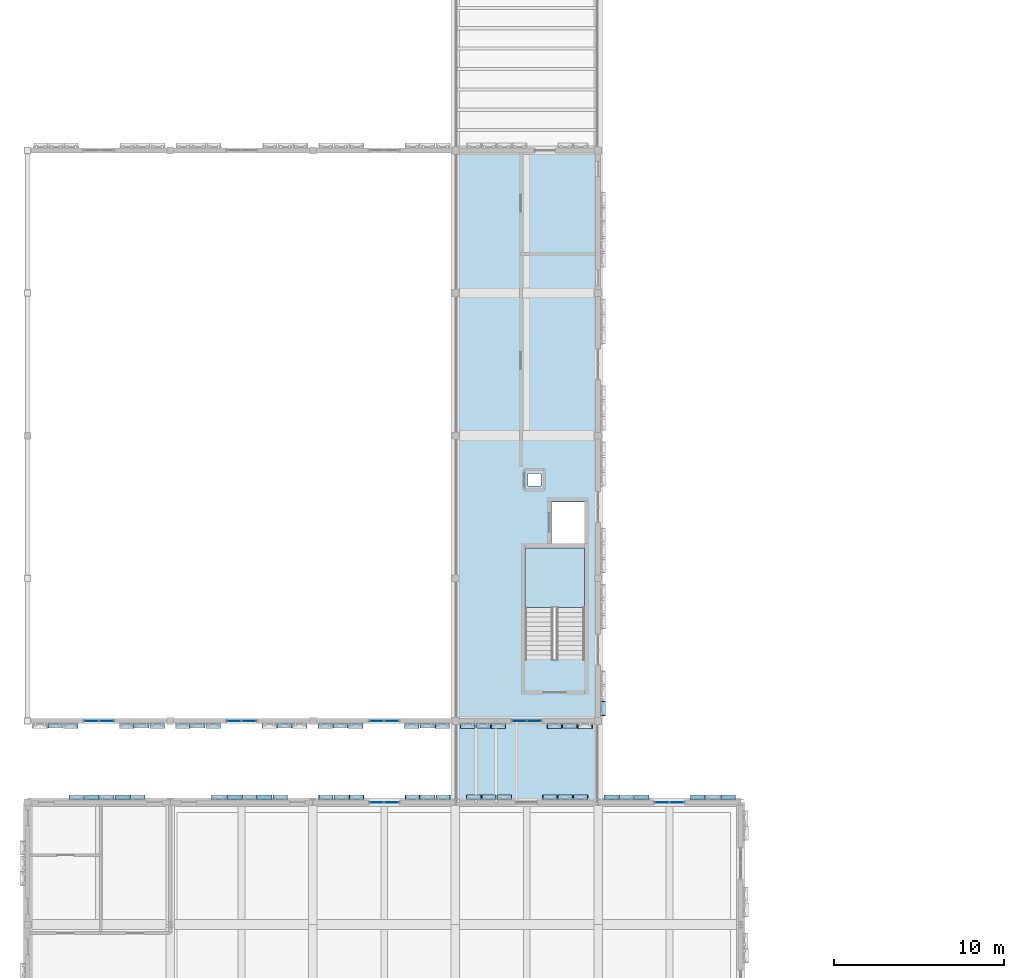
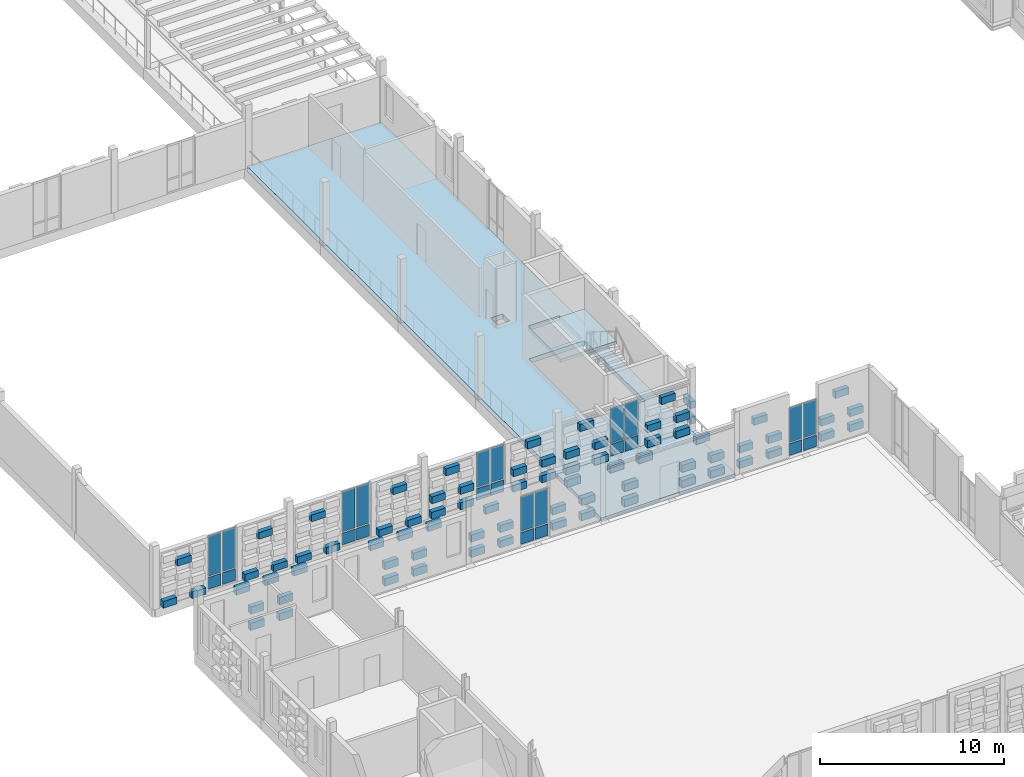
# One storey, part 46 of 99: 101 plates, 3 slabs, 7 elements without a shape of their own.
"""IFC4 building model written with IfcOpenShell, lengths in metres."""

from ifc_helpers import new_model, si_unit, direction, frame, origin, origin_2d, place, context, subcontext, project, spatial, polyline, rectangle, outline, extrude, material, layer, layer_set, type_object, element, aggregate, save


model = new_model("IFC4")

# Units and contexts
model_context = context("Model", 3, precision=1e-05, world=origin(), true_north=direction((0.0, 1.0)))
body_context = subcontext(model_context, "Body", "Model", "MODEL_VIEW")
ifc_project = project(units=[si_unit("LENGTHUNIT", "METRE"), si_unit("AREAUNIT", "SQUARE_METRE"), si_unit("VOLUMEUNIT", "CUBIC_METRE"), si_unit("PLANEANGLEUNIT", "RADIAN"), si_unit("MASSUNIT", "GRAM", prefix="KILO")], contexts=[model_context])

# Site, building, storey
site_placement = place(None, origin())
site = spatial("IfcSite", under=ifc_project, at=site_placement, CompositionType="ELEMENT")
building_placement = place(site_placement, origin())
building = spatial("IfcBuilding", under=site, at=building_placement, Name="Kahlenmark Community Centre", CompositionType="ELEMENT")
storey_placement = place(building_placement, frame((0.0, 0.0, 5.39990234375)))
storey = spatial("IfcBuildingStorey", under=building, at=storey_placement, Name="L01", CompositionType="ELEMENT", Elevation=5.39990234375)

# Curtain wall, plates
ifc_material_1 = material(Name="Anodised aluminium unitised curtain wall", Category="aluminium")
curtain_wall_type_1 = type_object("IfcCurtainWallType", Name="CWT-UNIT-180X321", PredefinedType="USERDEFINED", material=ifc_material_1)
curtain_wall_1_placement = place(storey_placement, origin())
curtain_wall_1 = element("IfcCurtainWall", 1, at=curtain_wall_1_placement, inside=storey, type_object=curtain_wall_type_1, Name="Unitised curtain wall CW-004", ObjectType="UNITISED CURTAIN WALL", PredefinedType="USERDEFINED")
ifc_material_2 = material(Name="Triple low-e solar-control glass unit", Category="glass")
ifc_layer_1 = layer(ifc_material_2, 0.0439453125)
ifc_layer_set_1 = layer_set([ifc_layer_1], Name="Triple low-e solar-control glass unit")
plate_type_1 = type_object("IfcPlateType", Name="PLT-CW-GLZ-820X2280", PredefinedType="CURTAIN_PANEL", material=ifc_layer_set_1)
plate_1_placement = place(storey_placement, frame((25.449951171875, 37.60009765625, 0.89013671875), z_axis=(0.0, 0.0, 1.0), x_axis=(-1.0, 0.0, 0.0)))
plate_1 = element("IfcPlate", 2, at=plate_1_placement, type_object=plate_type_1, Name="CW-004 glazed panel 1", PredefinedType="CURTAIN_PANEL", context=body_context, shape_type="SweptSolid", body=[
    extrude(rectangle(XDim=0.820068359375, YDim=0.0439453125, at=origin_2d()), origin(), (0.0, 0.0, 1.0), 2.280029296875),
])
plate_2_placement = place(storey_placement, frame((24.550048828125, 37.60009765625, 0.89013671875), z_axis=(0.0, 0.0, 1.0), x_axis=(-1.0, 0.0, 0.0)))
plate_2 = element("IfcPlate", 3, at=plate_2_placement, type_object=plate_type_1, Name="CW-004 glazed panel 2", PredefinedType="CURTAIN_PANEL", context=body_context, shape_type="SweptSolid", body=[
    extrude(rectangle(XDim=0.820068359375, YDim=0.0439453125, at=origin_2d()), origin(), (0.0, 0.0, 1.0), 2.280029296875),
])

curtain_wall_2_placement = place(storey_placement, origin())
curtain_wall_2 = element("IfcCurtainWall", 4, at=curtain_wall_2_placement, inside=storey, type_object=curtain_wall_type_1, Name="Unitised curtain wall CW-005", ObjectType="UNITISED CURTAIN WALL", PredefinedType="USERDEFINED")
plate_3_placement = place(storey_placement, frame((42.25, 37.60009765625, 0.89013671875), z_axis=(0.0, 0.0, 1.0), x_axis=(-1.0, 0.0, 0.0)))
plate_3 = element("IfcPlate", 5, at=plate_3_placement, type_object=plate_type_1, Name="CW-005 glazed panel 1", PredefinedType="CURTAIN_PANEL", context=body_context, shape_type="SweptSolid", body=[
    extrude(rectangle(XDim=0.820068359375, YDim=0.0439453125, at=origin_2d()), origin(), (0.0, 0.0, 1.0), 2.280029296875),
])
plate_4_placement = place(storey_placement, frame((41.35009765625, 37.60009765625, 0.89013671875), z_axis=(0.0, 0.0, 1.0), x_axis=(-1.0, 0.0, 0.0)))
plate_4 = element("IfcPlate", 6, at=plate_4_placement, type_object=plate_type_1, Name="CW-005 glazed panel 2", PredefinedType="CURTAIN_PANEL", context=body_context, shape_type="SweptSolid", body=[
    extrude(rectangle(XDim=0.820068359375, YDim=0.0439453125, at=origin_2d()), origin(), (0.0, 0.0, 1.0), 2.280029296875),
])

curtain_wall_3_placement = place(storey_placement, origin())
curtain_wall_3 = element("IfcCurtainWall", 7, at=curtain_wall_3_placement, inside=storey, type_object=curtain_wall_type_1, Name="Unitised curtain wall CW-011", ObjectType="UNITISED CURTAIN WALL", PredefinedType="USERDEFINED")
plate_5_placement = place(storey_placement, frame((24.550048828125, 42.39990234375, 0.89013671875), z_axis=(0.0, 0.0, 1.0), x_axis=(1.0, 0.0, 0.0)))
plate_5 = element("IfcPlate", 8, at=plate_5_placement, type_object=plate_type_1, Name="CW-011 glazed panel 1", PredefinedType="CURTAIN_PANEL", context=body_context, shape_type="SweptSolid", body=[
    extrude(rectangle(XDim=0.820068359375, YDim=0.0439453125, at=origin_2d()), origin(), (0.0, 0.0, 1.0), 2.280029296875),
])
plate_6_placement = place(storey_placement, frame((25.449951171875, 42.39990234375, 0.89013671875), z_axis=(0.0, 0.0, 1.0), x_axis=(1.0, 0.0, 0.0)))
plate_6 = element("IfcPlate", 9, at=plate_6_placement, type_object=plate_type_1, Name="CW-011 glazed panel 2", PredefinedType="CURTAIN_PANEL", context=body_context, shape_type="SweptSolid", body=[
    extrude(rectangle(XDim=0.820068359375, YDim=0.0439453125, at=origin_2d()), origin(), (0.0, 0.0, 1.0), 2.280029296875),
])

curtain_wall_4_placement = place(storey_placement, origin())
curtain_wall_4 = element("IfcCurtainWall", 10, at=curtain_wall_4_placement, inside=storey, type_object=curtain_wall_type_1, Name="Unitised curtain wall CW-012", ObjectType="UNITISED CURTAIN WALL", PredefinedType="USERDEFINED")
plate_7_placement = place(storey_placement, frame((32.949951171875, 42.39990234375, 0.89013671875), z_axis=(0.0, 0.0, 1.0), x_axis=(1.0, 0.0, 0.0)))
plate_7 = element("IfcPlate", 11, at=plate_7_placement, type_object=plate_type_1, Name="CW-012 glazed panel 1", PredefinedType="CURTAIN_PANEL", context=body_context, shape_type="SweptSolid", body=[
    extrude(rectangle(XDim=0.820068359375, YDim=0.0439453125, at=origin_2d()), origin(), (0.0, 0.0, 1.0), 2.280029296875),
])
plate_8_placement = place(storey_placement, frame((33.85009765625, 42.39990234375, 0.89013671875), z_axis=(0.0, 0.0, 1.0), x_axis=(1.0, 0.0, 0.0)))
plate_8 = element("IfcPlate", 12, at=plate_8_placement, type_object=plate_type_1, Name="CW-012 glazed panel 2", PredefinedType="CURTAIN_PANEL", context=body_context, shape_type="SweptSolid", body=[
    extrude(rectangle(XDim=0.820068359375, YDim=0.0439453125, at=origin_2d()), origin(), (0.0, 0.0, 1.0), 2.280029296875),
])

curtain_wall_type_2 = type_object("IfcCurtainWallType", Name="CWT-UNIT-180X359", PredefinedType="USERDEFINED", material=ifc_material_1)
curtain_wall_5_placement = place(storey_placement, origin())
curtain_wall_5 = element("IfcCurtainWall", 13, at=curtain_wall_5_placement, inside=storey, type_object=curtain_wall_type_2, Name="Unitised curtain wall CW-009", ObjectType="UNITISED CURTAIN WALL", PredefinedType="USERDEFINED")
ifc_layer_2 = layer(ifc_material_2, 0.0439453125)
ifc_layer_set_2 = layer_set([ifc_layer_2], Name="Triple low-e solar-control glass unit")
plate_type_2 = type_object("IfcPlateType", Name="PLT-CW-GLZ-820X2660", PredefinedType="CURTAIN_PANEL", material=ifc_layer_set_2)
plate_9_placement = place(storey_placement, frame((7.75, 42.39990234375, 0.89013671875), z_axis=(0.0, 0.0, 1.0), x_axis=(1.0, 0.0, 0.0)))
plate_9 = element("IfcPlate", 14, at=plate_9_placement, type_object=plate_type_2, Name="CW-009 glazed panel 1", PredefinedType="CURTAIN_PANEL", context=body_context, shape_type="SweptSolid", body=[
    extrude(rectangle(XDim=0.820068359375, YDim=0.0439453125, at=origin_2d()), origin(), (0.0, 0.0, 1.0), 2.659912109375),
])
plate_10_placement = place(storey_placement, frame((8.64990234375, 42.39990234375, 0.89013671875), z_axis=(0.0, 0.0, 1.0), x_axis=(1.0, 0.0, 0.0)))
plate_10 = element("IfcPlate", 15, at=plate_10_placement, type_object=plate_type_2, Name="CW-009 glazed panel 2", PredefinedType="CURTAIN_PANEL", context=body_context, shape_type="SweptSolid", body=[
    extrude(rectangle(XDim=0.820068359375, YDim=0.0439453125, at=origin_2d()), origin(), (0.0, 0.0, 1.0), 2.659912109375),
])

curtain_wall_6_placement = place(storey_placement, origin())
curtain_wall_6 = element("IfcCurtainWall", 16, at=curtain_wall_6_placement, inside=storey, type_object=curtain_wall_type_2, Name="Unitised curtain wall CW-010", ObjectType="UNITISED CURTAIN WALL", PredefinedType="USERDEFINED")
plate_11_placement = place(storey_placement, frame((16.14990234375, 42.39990234375, 0.89013671875), z_axis=(0.0, 0.0, 1.0), x_axis=(1.0, 0.0, 0.0)))
plate_11 = element("IfcPlate", 17, at=plate_11_placement, type_object=plate_type_2, Name="CW-010 glazed panel 1", PredefinedType="CURTAIN_PANEL", context=body_context, shape_type="SweptSolid", body=[
    extrude(rectangle(XDim=0.820068359375, YDim=0.0439453125, at=origin_2d()), origin(), (0.0, 0.0, 1.0), 2.659912109375),
])
plate_12_placement = place(storey_placement, frame((17.050048828125, 42.39990234375, 0.89013671875), z_axis=(0.0, 0.0, 1.0), x_axis=(1.0, 0.0, 0.0)))
plate_12 = element("IfcPlate", 18, at=plate_12_placement, type_object=plate_type_2, Name="CW-010 glazed panel 2", PredefinedType="CURTAIN_PANEL", context=body_context, shape_type="SweptSolid", body=[
    extrude(rectangle(XDim=0.820068359375, YDim=0.0439453125, at=origin_2d()), origin(), (0.0, 0.0, 1.0), 2.659912109375),
])

# Plate
ifc_material_3 = material(Name="Warm terracotta insulated spandrel cassette", Category="masonry")
ifc_layer_3 = layer(ifc_material_3, 0.06005859375)
ifc_layer_set_3 = layer_set([ifc_layer_3], Name="Warm terracotta insulated spandrel cassette")
plate_type_3 = type_object("IfcPlateType", Name="PLT-CW-SPD-820X770", PredefinedType="CURTAIN_PANEL", material=ifc_layer_set_3)
plate_13_placement = place(storey_placement, frame((25.449951171875, 37.60009765625, 0.0400390625), z_axis=(0.0, 0.0, 1.0), x_axis=(-1.0, 0.0, 0.0)))
plate_13 = element("IfcPlate", 19, at=plate_13_placement, type_object=plate_type_3, Name="CW-004 spandrel 1", PredefinedType="CURTAIN_PANEL", context=body_context, shape_type="SweptSolid", body=[
    extrude(rectangle(XDim=0.820068359375, YDim=0.06005859375, at=origin_2d()), origin(), (0.0, 0.0, 1.0), 0.77001953125),
])

plate_14_placement = place(storey_placement, frame((24.550048828125, 37.60009765625, 0.0400390625), z_axis=(0.0, 0.0, 1.0), x_axis=(-1.0, 0.0, 0.0)))
plate_14 = element("IfcPlate", 20, at=plate_14_placement, type_object=plate_type_3, Name="CW-004 spandrel 2", PredefinedType="CURTAIN_PANEL", context=body_context, shape_type="SweptSolid", body=[
    extrude(rectangle(XDim=0.820068359375, YDim=0.06005859375, at=origin_2d()), origin(), (0.0, 0.0, 1.0), 0.77001953125),
])

aggregate(curtain_wall_1, [plate_13, plate_1, plate_14, plate_2])

plate_15_placement = place(storey_placement, frame((42.25, 37.60009765625, 0.0400390625), z_axis=(0.0, 0.0, 1.0), x_axis=(-1.0, 0.0, 0.0)))
plate_15 = element("IfcPlate", 21, at=plate_15_placement, type_object=plate_type_3, Name="CW-005 spandrel 1", PredefinedType="CURTAIN_PANEL", context=body_context, shape_type="SweptSolid", body=[
    extrude(rectangle(XDim=0.820068359375, YDim=0.06005859375, at=origin_2d()), origin(), (0.0, 0.0, 1.0), 0.77001953125),
])

plate_16_placement = place(storey_placement, frame((41.35009765625, 37.60009765625, 0.0400390625), z_axis=(0.0, 0.0, 1.0), x_axis=(-1.0, 0.0, 0.0)))
plate_16 = element("IfcPlate", 22, at=plate_16_placement, type_object=plate_type_3, Name="CW-005 spandrel 2", PredefinedType="CURTAIN_PANEL", context=body_context, shape_type="SweptSolid", body=[
    extrude(rectangle(XDim=0.820068359375, YDim=0.06005859375, at=origin_2d()), origin(), (0.0, 0.0, 1.0), 0.77001953125),
])

aggregate(curtain_wall_2, [plate_15, plate_3, plate_16, plate_4])

plate_17_placement = place(storey_placement, frame((7.75, 42.39990234375, 0.0400390625), z_axis=(0.0, 0.0, 1.0), x_axis=(1.0, 0.0, 0.0)))
plate_17 = element("IfcPlate", 23, at=plate_17_placement, type_object=plate_type_3, Name="CW-009 spandrel 1", PredefinedType="CURTAIN_PANEL", context=body_context, shape_type="SweptSolid", body=[
    extrude(rectangle(XDim=0.820068359375, YDim=0.06005859375, at=origin_2d()), origin(), (0.0, 0.0, 1.0), 0.77001953125),
])

plate_18_placement = place(storey_placement, frame((8.64990234375, 42.39990234375, 0.0400390625), z_axis=(0.0, 0.0, 1.0), x_axis=(1.0, 0.0, 0.0)))
plate_18 = element("IfcPlate", 24, at=plate_18_placement, type_object=plate_type_3, Name="CW-009 spandrel 2", PredefinedType="CURTAIN_PANEL", context=body_context, shape_type="SweptSolid", body=[
    extrude(rectangle(XDim=0.820068359375, YDim=0.06005859375, at=origin_2d()), origin(), (0.0, 0.0, 1.0), 0.77001953125),
])

aggregate(curtain_wall_5, [plate_17, plate_9, plate_18, plate_10])

plate_19_placement = place(storey_placement, frame((16.14990234375, 42.39990234375, 0.0400390625), z_axis=(0.0, 0.0, 1.0), x_axis=(1.0, 0.0, 0.0)))
plate_19 = element("IfcPlate", 25, at=plate_19_placement, type_object=plate_type_3, Name="CW-010 spandrel 1", PredefinedType="CURTAIN_PANEL", context=body_context, shape_type="SweptSolid", body=[
    extrude(rectangle(XDim=0.820068359375, YDim=0.06005859375, at=origin_2d()), origin(), (0.0, 0.0, 1.0), 0.77001953125),
])

plate_20_placement = place(storey_placement, frame((17.050048828125, 42.39990234375, 0.0400390625), z_axis=(0.0, 0.0, 1.0), x_axis=(1.0, 0.0, 0.0)))
plate_20 = element("IfcPlate", 26, at=plate_20_placement, type_object=plate_type_3, Name="CW-010 spandrel 2", PredefinedType="CURTAIN_PANEL", context=body_context, shape_type="SweptSolid", body=[
    extrude(rectangle(XDim=0.820068359375, YDim=0.06005859375, at=origin_2d()), origin(), (0.0, 0.0, 1.0), 0.77001953125),
])

aggregate(curtain_wall_6, [plate_19, plate_11, plate_20, plate_12])

plate_21_placement = place(storey_placement, frame((24.550048828125, 42.39990234375, 0.0400390625), z_axis=(0.0, 0.0, 1.0), x_axis=(1.0, 0.0, 0.0)))
plate_21 = element("IfcPlate", 27, at=plate_21_placement, type_object=plate_type_3, Name="CW-011 spandrel 1", PredefinedType="CURTAIN_PANEL", context=body_context, shape_type="SweptSolid", body=[
    extrude(rectangle(XDim=0.820068359375, YDim=0.06005859375, at=origin_2d()), origin(), (0.0, 0.0, 1.0), 0.77001953125),
])

plate_22_placement = place(storey_placement, frame((25.449951171875, 42.39990234375, 0.0400390625), z_axis=(0.0, 0.0, 1.0), x_axis=(1.0, 0.0, 0.0)))
plate_22 = element("IfcPlate", 28, at=plate_22_placement, type_object=plate_type_3, Name="CW-011 spandrel 2", PredefinedType="CURTAIN_PANEL", context=body_context, shape_type="SweptSolid", body=[
    extrude(rectangle(XDim=0.820068359375, YDim=0.06005859375, at=origin_2d()), origin(), (0.0, 0.0, 1.0), 0.77001953125),
])

aggregate(curtain_wall_3, [plate_21, plate_5, plate_22, plate_6])

plate_23_placement = place(storey_placement, frame((32.949951171875, 42.39990234375, 0.0400390625), z_axis=(0.0, 0.0, 1.0), x_axis=(1.0, 0.0, 0.0)))
plate_23 = element("IfcPlate", 29, at=plate_23_placement, type_object=plate_type_3, Name="CW-012 spandrel 1", PredefinedType="CURTAIN_PANEL", context=body_context, shape_type="SweptSolid", body=[
    extrude(rectangle(XDim=0.820068359375, YDim=0.06005859375, at=origin_2d()), origin(), (0.0, 0.0, 1.0), 0.77001953125),
])

plate_24_placement = place(storey_placement, frame((33.85009765625, 42.39990234375, 0.0400390625), z_axis=(0.0, 0.0, 1.0), x_axis=(1.0, 0.0, 0.0)))
plate_24 = element("IfcPlate", 30, at=plate_24_placement, type_object=plate_type_3, Name="CW-012 spandrel 2", PredefinedType="CURTAIN_PANEL", context=body_context, shape_type="SweptSolid", body=[
    extrude(rectangle(XDim=0.820068359375, YDim=0.06005859375, at=origin_2d()), origin(), (0.0, 0.0, 1.0), 0.77001953125),
])

aggregate(curtain_wall_4, [plate_23, plate_7, plate_24, plate_8])

# Plates
ifc_material_4 = material(Name="Extruded glazed terracotta weave cassette", Category="masonry")
ifc_layer_4 = layer(ifc_material_4, 0.300048828125)
ifc_layer_set_4 = layer_set([ifc_layer_4], Name="Extruded glazed terracotta weave cassette")
plate_type_4 = type_object("IfcPlateType", Name="PLT-TC-TC-R34-840X300X468", PredefinedType="SHEET", material=ifc_layer_set_4)
for number, where, z_axis, x_axis, name in (
    (31, (28.469970703125, 37.89990234375, 1.1162109375), (0.0, 0.0, 1.0), (-1.0, 0.0, 0.0), "Basketweave terracotta cassette 0243"),
    (32, (26.669921875, 37.89990234375, 1.1162109375), (0.0, 0.0, 1.0), (-1.0, 0.0, 0.0), "Basketweave terracotta cassette 0255"),
    (33, (23.3701171875, 37.89990234375, 1.1162109375), (0.0, 0.0, 1.0), (-1.0, 0.0, 0.0), "Basketweave terracotta cassette 0261"),
    (34, (21.570068359375, 37.89990234375, 1.1162109375), (0.0, 0.0, 1.0), (-1.0, 0.0, 0.0), "Basketweave terracotta cassette 0273"),
    (35, (36.570068359375, 37.89990234375, 1.1162109375), (0.0, 0.0, 1.0), (-1.0, 0.0, 0.0), "Basketweave terracotta cassette 0279"),
    (36, (34.77001953125, 37.89990234375, 1.1162109375), (0.0, 0.0, 1.0), (-1.0, 0.0, 0.0), "Basketweave terracotta cassette 0291"),
    (37, (31.169921875, 37.89990234375, 1.1162109375), (0.0, 0.0, 1.0), (-1.0, 0.0, 0.0), "Basketweave terracotta cassette 0303"),
    (38, (45.27001953125, 37.89990234375, 1.1162109375), (0.0, 0.0, 1.0), (-1.0, 0.0, 0.0), "Basketweave terracotta cassette 0315"),
    (39, (43.469970703125, 37.89990234375, 1.1162109375), (0.0, 0.0, 1.0), (-1.0, 0.0, 0.0), "Basketweave terracotta cassette 0327"),
    (40, (40.169921875, 37.89990234375, 1.1162109375), (0.0, 0.0, 1.0), (-1.0, 0.0, 0.0), "Basketweave terracotta cassette 0333"),
    (41, (38.3701171875, 37.89990234375, 1.1162109375), (0.0, 0.0, 1.0), (-1.0, 0.0, 0.0), "Basketweave terracotta cassette 0345"),
    (42, (21.530029296875, 42.10009765625, 1.1162109375), (0.0, 0.0, 1.0), (1.0, 0.0, 0.0), "Basketweave terracotta cassette 0571"),
    (43, (23.330078125, 42.10009765625, 1.1162109375), (0.0, 0.0, 1.0), (1.0, 0.0, 0.0), "Basketweave terracotta cassette 0583"),
    (44, (26.6298828125, 42.10009765625, 1.1162109375), (0.0, 0.0, 1.0), (1.0, 0.0, 0.0), "Basketweave terracotta cassette 0589"),
    (45, (28.429931640625, 42.10009765625, 1.1162109375), (0.0, 0.0, 1.0), (1.0, 0.0, 0.0), "Basketweave terracotta cassette 0601"),
    (46, (29.929931640625, 42.10009765625, 1.1162109375), (0.0, 0.0, 1.0), (1.0, 0.0, 0.0), "Basketweave terracotta cassette 0607"),
    (47, (31.72998046875, 42.10009765625, 1.1162109375), (0.0, 0.0, 1.0), (1.0, 0.0, 0.0), "Basketweave terracotta cassette 0619"),
    (48, (35.030029296875, 42.10009765625, 1.1162109375), (0.0, 0.0, 1.0), (1.0, 0.0, 0.0), "Basketweave terracotta cassette 0625"),
    (49, (36.830078125, 42.10009765625, 1.1162109375), (0.0, 0.0, 1.0), (1.0, 0.0, 0.0), "Basketweave terracotta cassette 0637"),
    (50, (37.89990234375, 43.1298828125, 1.1162109375), (0.0, 0.0, 1.0), (0.0, 1.0, 0.0), "Basketweave terracotta cassette 0799"),
):
    element("IfcPlate", number, at=place(storey_placement, frame(where, z_axis=z_axis, x_axis=x_axis)), inside=storey, type_object=plate_type_4, Name=name, PredefinedType="SHEET", context=body_context, shape_type="SweptSolid", body=[
        extrude(rectangle(XDim=0.840087890625, YDim=0.300048828125, at=origin_2d()), origin(), (0.0, 0.0, 1.0), 0.468017578125),
    ])
ifc_layer_5 = layer(ifc_material_4, 0.300048828125)
ifc_layer_set_5 = layer_set([ifc_layer_5], Name="Extruded glazed terracotta weave cassette")
plate_type_5 = type_object("IfcPlateType", Name="PLT-TC-TC-R34-840X300X492", PredefinedType="SHEET", material=ifc_layer_set_5)
for number, where, z_axis, x_axis, name in (
    (51, (9.570068359375, 37.89990234375, 1.1640625), (0.0, 0.0, 1.0), (-1.0, 0.0, 0.0), "Basketweave terracotta cassette 0189"),
    (52, (7.77001953125, 37.89990234375, 1.1640625), (0.0, 0.0, 1.0), (-1.0, 0.0, 0.0), "Basketweave terracotta cassette 0201"),
    (53, (17.969970703125, 37.89990234375, 1.1640625), (0.0, 0.0, 1.0), (-1.0, 0.0, 0.0), "Basketweave terracotta cassette 0219"),
    (54, (16.169921875, 37.89990234375, 1.1640625), (0.0, 0.0, 1.0), (-1.0, 0.0, 0.0), "Basketweave terracotta cassette 0231"),
):
    element("IfcPlate", number, at=place(storey_placement, frame(where, z_axis=z_axis, x_axis=x_axis)), inside=storey, type_object=plate_type_5, Name=name, PredefinedType="SHEET", context=body_context, shape_type="SweptSolid", body=[
        extrude(rectangle(XDim=0.840087890625, YDim=0.300048828125, at=origin_2d()), origin(), (0.0, 0.0, 1.0), 0.491943359375),
    ])
ifc_layer_6 = layer(ifc_material_4, 0.300048828125)
ifc_layer_set_6 = layer_set([ifc_layer_6], Name="Extruded glazed terracotta weave cassette")
plate_type_6 = type_object("IfcPlateType", Name="PLT-TC-TC-R34-860X300X450", PredefinedType="SHEET", material=ifc_layer_set_6)
for number, where, z_axis, x_axis, name in (
    (55, (4.72998046875, 42.10009765625, 0.10009765625), (0.0, 0.0, 1.0), (1.0, 0.0, 0.0), "Basketweave terracotta cassette 0485"),
    (56, (6.530029296875, 42.10009765625, 0.10009765625), (0.0, 0.0, 1.0), (1.0, 0.0, 0.0), "Basketweave terracotta cassette 0499"),
    (57, (9.830078125, 42.10009765625, 0.10009765625), (0.0, 0.0, 1.0), (1.0, 0.0, 0.0), "Basketweave terracotta cassette 0506"),
    (58, (11.6298828125, 42.10009765625, 0.10009765625), (0.0, 0.0, 1.0), (1.0, 0.0, 0.0), "Basketweave terracotta cassette 0520"),
    (59, (13.1298828125, 42.10009765625, 0.10009765625), (0.0, 0.0, 1.0), (1.0, 0.0, 0.0), "Basketweave terracotta cassette 0527"),
    (60, (14.929931640625, 42.10009765625, 0.10009765625), (0.0, 0.0, 1.0), (1.0, 0.0, 0.0), "Basketweave terracotta cassette 0541"),
    (61, (18.22998046875, 42.10009765625, 0.10009765625), (0.0, 0.0, 1.0), (1.0, 0.0, 0.0), "Basketweave terracotta cassette 0548"),
    (62, (20.030029296875, 42.10009765625, 0.10009765625), (0.0, 0.0, 1.0), (1.0, 0.0, 0.0), "Basketweave terracotta cassette 0562"),
):
    element("IfcPlate", number, at=place(storey_placement, frame(where, z_axis=z_axis, x_axis=x_axis)), inside=storey, type_object=plate_type_6, Name=name, PredefinedType="SHEET", context=body_context, shape_type="SweptSolid", body=[
        extrude(rectangle(XDim=0.860107421875, YDim=0.300048828125, at=origin_2d()), origin(), (0.0, 0.0, 1.0), 0.449951171875),
    ])
ifc_layer_7 = layer(ifc_material_4, 0.300048828125)
ifc_layer_set_7 = layer_set([ifc_layer_7], Name="Extruded glazed terracotta weave cassette")
plate_type_7 = type_object("IfcPlateType", Name="PLT-TC-TC-R34-860X300X468", PredefinedType="SHEET", material=ifc_layer_set_7)
for number, where, z_axis, x_axis, name in (
    (63, (28.469970703125, 37.89990234375, 0.10009765625), (0.0, 0.0, 1.0), (-1.0, 0.0, 0.0), "Basketweave terracotta cassette 0241"),
    (64, (26.669921875, 37.89990234375, 0.10009765625), (0.0, 0.0, 1.0), (-1.0, 0.0, 0.0), "Basketweave terracotta cassette 0253"),
    (65, (23.3701171875, 37.89990234375, 0.10009765625), (0.0, 0.0, 1.0), (-1.0, 0.0, 0.0), "Basketweave terracotta cassette 0259"),
    (66, (21.570068359375, 37.89990234375, 0.10009765625), (0.0, 0.0, 1.0), (-1.0, 0.0, 0.0), "Basketweave terracotta cassette 0271"),
    (67, (36.570068359375, 37.89990234375, 0.10009765625), (0.0, 0.0, 1.0), (-1.0, 0.0, 0.0), "Basketweave terracotta cassette 0277"),
    (68, (34.77001953125, 37.89990234375, 0.10009765625), (0.0, 0.0, 1.0), (-1.0, 0.0, 0.0), "Basketweave terracotta cassette 0289"),
    (69, (31.169921875, 37.89990234375, 0.10009765625), (0.0, 0.0, 1.0), (-1.0, 0.0, 0.0), "Basketweave terracotta cassette 0301"),
    (70, (45.27001953125, 37.89990234375, 0.10009765625), (0.0, 0.0, 1.0), (-1.0, 0.0, 0.0), "Basketweave terracotta cassette 0313"),
    (71, (43.469970703125, 37.89990234375, 0.10009765625), (0.0, 0.0, 1.0), (-1.0, 0.0, 0.0), "Basketweave terracotta cassette 0325"),
    (72, (40.169921875, 37.89990234375, 0.10009765625), (0.0, 0.0, 1.0), (-1.0, 0.0, 0.0), "Basketweave terracotta cassette 0331"),
    (73, (38.3701171875, 37.89990234375, 0.10009765625), (0.0, 0.0, 1.0), (-1.0, 0.0, 0.0), "Basketweave terracotta cassette 0343"),
    (74, (21.530029296875, 42.10009765625, 0.10009765625), (0.0, 0.0, 1.0), (1.0, 0.0, 0.0), "Basketweave terracotta cassette 0569"),
    (75, (23.330078125, 42.10009765625, 0.10009765625), (0.0, 0.0, 1.0), (1.0, 0.0, 0.0), "Basketweave terracotta cassette 0581"),
    (76, (26.6298828125, 42.10009765625, 0.10009765625), (0.0, 0.0, 1.0), (1.0, 0.0, 0.0), "Basketweave terracotta cassette 0587"),
    (77, (28.429931640625, 42.10009765625, 0.10009765625), (0.0, 0.0, 1.0), (1.0, 0.0, 0.0), "Basketweave terracotta cassette 0599"),
    (78, (29.929931640625, 42.10009765625, 0.10009765625), (0.0, 0.0, 1.0), (1.0, 0.0, 0.0), "Basketweave terracotta cassette 0605"),
    (79, (31.72998046875, 42.10009765625, 0.10009765625), (0.0, 0.0, 1.0), (1.0, 0.0, 0.0), "Basketweave terracotta cassette 0617"),
    (80, (35.030029296875, 42.10009765625, 0.10009765625), (0.0, 0.0, 1.0), (1.0, 0.0, 0.0), "Basketweave terracotta cassette 0623"),
    (81, (36.830078125, 42.10009765625, 0.10009765625), (0.0, 0.0, 1.0), (1.0, 0.0, 0.0), "Basketweave terracotta cassette 0635"),
    (82, (37.89990234375, 43.1298828125, 0.10009765625), (0.0, 0.0, 1.0), (0.0, 1.0, 0.0), "Basketweave terracotta cassette 0797"),
):
    element("IfcPlate", number, at=place(storey_placement, frame(where, z_axis=z_axis, x_axis=x_axis)), inside=storey, type_object=plate_type_7, Name=name, PredefinedType="SHEET", context=body_context, shape_type="SweptSolid", body=[
        extrude(rectangle(XDim=0.860107421875, YDim=0.300048828125, at=origin_2d()), origin(), (0.0, 0.0, 1.0), 0.468017578125),
    ])
ifc_layer_8 = layer(ifc_material_4, 0.300048828125)
ifc_layer_set_8 = layer_set([ifc_layer_8], Name="Extruded glazed terracotta weave cassette")
plate_type_8 = type_object("IfcPlateType", Name="PLT-TC-TC-R34-860X300X492", PredefinedType="SHEET", material=ifc_layer_set_8)
for number, where, z_axis, x_axis, name in (
    (83, (9.570068359375, 37.89990234375, 0.10009765625), (0.0, 0.0, 1.0), (-1.0, 0.0, 0.0), "Basketweave terracotta cassette 0187"),
    (84, (7.77001953125, 37.89990234375, 0.10009765625), (0.0, 0.0, 1.0), (-1.0, 0.0, 0.0), "Basketweave terracotta cassette 0199"),
    (85, (17.969970703125, 37.89990234375, 0.10009765625), (0.0, 0.0, 1.0), (-1.0, 0.0, 0.0), "Basketweave terracotta cassette 0217"),
    (86, (16.169921875, 37.89990234375, 0.10009765625), (0.0, 0.0, 1.0), (-1.0, 0.0, 0.0), "Basketweave terracotta cassette 0229"),
):
    element("IfcPlate", number, at=place(storey_placement, frame(where, z_axis=z_axis, x_axis=x_axis)), inside=storey, type_object=plate_type_8, Name=name, PredefinedType="SHEET", context=body_context, shape_type="SweptSolid", body=[
        extrude(rectangle(XDim=0.860107421875, YDim=0.300048828125, at=origin_2d()), origin(), (0.0, 0.0, 1.0), 0.491943359375),
    ])
ifc_layer_9 = layer(ifc_material_4, 0.280029296875)
ifc_layer_set_9 = layer_set([ifc_layer_9], Name="Extruded glazed terracotta weave cassette")
plate_type_9 = type_object("IfcPlateType", Name="PLT-TC-TC-W30-860X280X450", PredefinedType="SHEET", material=ifc_layer_set_9)
for number, where, z_axis, x_axis, name in (
    (87, (5.6298828125, 42.110107421875, 2.55029296875), (0.0, 0.0, 1.0), (1.0, 0.0, 0.0), "Basketweave terracotta cassette 0497"),
    (88, (10.72998046875, 42.110107421875, 2.55029296875), (0.0, 0.0, 1.0), (1.0, 0.0, 0.0), "Basketweave terracotta cassette 0518"),
    (89, (14.030029296875, 42.110107421875, 2.55029296875), (0.0, 0.0, 1.0), (1.0, 0.0, 0.0), "Basketweave terracotta cassette 0539"),
    (90, (19.1298828125, 42.110107421875, 2.55029296875), (0.0, 0.0, 1.0), (1.0, 0.0, 0.0), "Basketweave terracotta cassette 0560"),
):
    element("IfcPlate", number, at=place(storey_placement, frame(where, z_axis=z_axis, x_axis=x_axis)), inside=storey, type_object=plate_type_9, Name=name, PredefinedType="SHEET", context=body_context, shape_type="SweptSolid", body=[
        extrude(rectangle(XDim=0.860107421875, YDim=0.280029296875, at=origin_2d()), origin(), (0.0, 0.0, 1.0), 0.449951171875),
    ])
ifc_layer_10 = layer(ifc_material_4, 0.280029296875)
ifc_layer_set_10 = layer_set([ifc_layer_10], Name="Extruded glazed terracotta weave cassette")
plate_type_10 = type_object("IfcPlateType", Name="PLT-TC-TC-W30-860X280X468", PredefinedType="SHEET", material=ifc_layer_set_10)
for number, where, z_axis, x_axis, name in (
    (91, (27.570068359375, 37.889892578125, 2.64013671875), (0.0, 0.0, 1.0), (-1.0, 0.0, 0.0), "Basketweave terracotta cassette 0252"),
    (92, (22.469970703125, 37.889892578125, 2.64013671875), (0.0, 0.0, 1.0), (-1.0, 0.0, 0.0), "Basketweave terracotta cassette 0270"),
    (93, (35.669921875, 37.889892578125, 2.64013671875), (0.0, 0.0, 1.0), (-1.0, 0.0, 0.0), "Basketweave terracotta cassette 0288"),
    (94, (32.070068359375, 37.889892578125, 2.64013671875), (0.0, 0.0, 1.0), (-1.0, 0.0, 0.0), "Basketweave terracotta cassette 0300"),
    (95, (30.27001953125, 37.889892578125, 2.64013671875), (0.0, 0.0, 1.0), (-1.0, 0.0, 0.0), "Basketweave terracotta cassette 0312"),
    (96, (44.3701171875, 37.889892578125, 2.64013671875), (0.0, 0.0, 1.0), (-1.0, 0.0, 0.0), "Basketweave terracotta cassette 0324"),
    (97, (39.27001953125, 37.889892578125, 2.64013671875), (0.0, 0.0, 1.0), (-1.0, 0.0, 0.0), "Basketweave terracotta cassette 0342"),
    (98, (22.429931640625, 42.110107421875, 2.64013671875), (0.0, 0.0, 1.0), (1.0, 0.0, 0.0), "Basketweave terracotta cassette 0580"),
    (99, (27.530029296875, 42.110107421875, 2.64013671875), (0.0, 0.0, 1.0), (1.0, 0.0, 0.0), "Basketweave terracotta cassette 0598"),
    (100, (30.830078125, 42.110107421875, 2.64013671875), (0.0, 0.0, 1.0), (1.0, 0.0, 0.0), "Basketweave terracotta cassette 0616"),
    (101, (35.929931640625, 42.110107421875, 2.64013671875), (0.0, 0.0, 1.0), (1.0, 0.0, 0.0), "Basketweave terracotta cassette 0634"),
):
    element("IfcPlate", number, at=place(storey_placement, frame(where, z_axis=z_axis, x_axis=x_axis)), inside=storey, type_object=plate_type_10, Name=name, PredefinedType="SHEET", context=body_context, shape_type="SweptSolid", body=[
        extrude(rectangle(XDim=0.860107421875, YDim=0.280029296875, at=origin_2d()), origin(), (0.0, 0.0, 1.0), 0.468017578125),
    ])
ifc_layer_11 = layer(ifc_material_4, 0.280029296875)
ifc_layer_set_11 = layer_set([ifc_layer_11], Name="Extruded glazed terracotta weave cassette")
plate_type_11 = type_object("IfcPlateType", Name="PLT-TC-TC-W30-860X280X492", PredefinedType="SHEET", material=ifc_layer_set_11)
for number, where, z_axis, x_axis, name in (
    (102, (10.469970703125, 37.889892578125, 2.76025390625), (0.0, 0.0, 1.0), (-1.0, 0.0, 0.0), "Basketweave terracotta cassette 0186"),
    (103, (8.669921875, 37.889892578125, 2.76025390625), (0.0, 0.0, 1.0), (-1.0, 0.0, 0.0), "Basketweave terracotta cassette 0198"),
    (104, (6.8701171875, 37.889892578125, 2.76025390625), (0.0, 0.0, 1.0), (-1.0, 0.0, 0.0), "Basketweave terracotta cassette 0210"),
    (105, (18.8701171875, 37.889892578125, 2.76025390625), (0.0, 0.0, 1.0), (-1.0, 0.0, 0.0), "Basketweave terracotta cassette 0216"),
    (106, (17.070068359375, 37.889892578125, 2.76025390625), (0.0, 0.0, 1.0), (-1.0, 0.0, 0.0), "Basketweave terracotta cassette 0228"),
    (107, (15.27001953125, 37.889892578125, 2.76025390625), (0.0, 0.0, 1.0), (-1.0, 0.0, 0.0), "Basketweave terracotta cassette 0240"),
):
    element("IfcPlate", number, at=place(storey_placement, frame(where, z_axis=z_axis, x_axis=x_axis)), inside=storey, type_object=plate_type_11, Name=name, PredefinedType="SHEET", context=body_context, shape_type="SweptSolid", body=[
        extrude(rectangle(XDim=0.860107421875, YDim=0.280029296875, at=origin_2d()), origin(), (0.0, 0.0, 1.0), 0.491943359375),
    ])

# Stair, slab
ifc_material_5 = material(Name="Concrete C35/45", Category="concrete")
stair_type = type_object("IfcStairType", Name="STT-CORE-ST-02-175", PredefinedType="HALF_TURN_STAIR", material=ifc_material_5)
stair_placement = place(storey_placement, origin())
stair = element("IfcStair", 108, at=stair_placement, inside=storey, type_object=stair_type, Name="L01 Core K2 Escape Stair ST-02", PredefinedType="HALF_TURN_STAIR")
ifc_layer_12 = layer(ifc_material_5, 0.199951171875)
ifc_layer_set_12 = layer_set([ifc_layer_12], Name="Concrete C35/45")
slab_type_1 = type_object("IfcSlabType", Name="SLT-CORE-200", PredefinedType="LANDING", material=ifc_layer_set_12)
slab_1_placement = place(storey_placement, frame((0.0, 0.0, 1.900146484375)))
slab_1 = element("IfcSlab", 109, at=slab_1_placement, type_object=slab_type_1, Name="ST-02 landing 1", PredefinedType="LANDING", context=body_context, shape_type="SweptSolid", body=[
    extrude(outline(polyline([(36.800048828125, 49.080078125), (36.800048828125, 52.60009765625), (33.300048828125, 52.60009765625), (33.300048828125, 49.080078125), (36.800048828125, 49.080078125)])), origin(), (0.0, 0.0, 1.0), 0.199951171875),
])
aggregate(stair, [slab_1])

# Slabs
ifc_layer_13 = layer(ifc_material_5, 0.320068359375)
ifc_layer_set_13 = layer_set([ifc_layer_13], Name="Concrete C35/45")
slab_type_2 = type_object("IfcSlabType", Name="ST-FL-RC320", PredefinedType="FLOOR", material=ifc_layer_set_13)
slab_2_placement = place(storey_placement, frame((0.0, 0.0, -0.31982421875)))
element("IfcSlab", 110, at=slab_2_placement, inside=storey, type_object=slab_type_2, Name="L01 suspended floor slab V2", PredefinedType="FLOOR", context=body_context, shape_type="SweptSolid", body=[
    extrude(outline(polyline([(29.199951171875, 42.39990234375), (37.60009765625, 42.39990234375), (37.60009765625, 76.0), (29.199951171875, 76.0), (29.199951171875, 42.39990234375)]), holes=[polyline([(33.305908203125, 46.006103515625), (36.7939453125, 46.006103515625), (36.7939453125, 52.593994140625), (33.305908203125, 52.593994140625), (33.305908203125, 46.006103515625)]), polyline([(34.845947265625, 52.85595703125), (36.7939453125, 52.85595703125), (36.7939453125, 55.303955078125), (34.845947265625, 55.303955078125), (34.845947265625, 52.85595703125)]), polyline([(33.47607421875, 56.22607421875), (34.22412109375, 56.22607421875), (34.22412109375, 56.97412109375), (33.47607421875, 56.97412109375), (33.47607421875, 56.22607421875)])]), origin(), (0.0, 0.0, 1.0), 0.31982421875),
])
ifc_layer_14 = layer(ifc_material_5, 0.260009765625)
ifc_layer_set_14 = layer_set([ifc_layer_14], Name="Concrete C35/45")
slab_type_3 = type_object("IfcSlabType", Name="ST-TER-RC260", PredefinedType="FLOOR", material=ifc_layer_set_14)
slab_3_placement = place(storey_placement, frame((0.0, 0.0, -0.260009765625)))
element("IfcSlab", 111, at=slab_3_placement, inside=storey, type_object=slab_type_3, Name="Podium outdoor terrace TER-L01-WEST-GAP", PredefinedType="FLOOR", context=body_context, shape_type="SweptSolid", body=[
    extrude(outline(polyline([(29.199951171875, 37.60009765625), (37.60009765625, 37.60009765625), (37.60009765625, 42.39990234375), (29.199951171875, 42.39990234375), (29.199951171875, 37.60009765625)])), origin(), (0.0, 0.0, 1.0), 0.260009765625),
])

save(model, "model.ifc")
